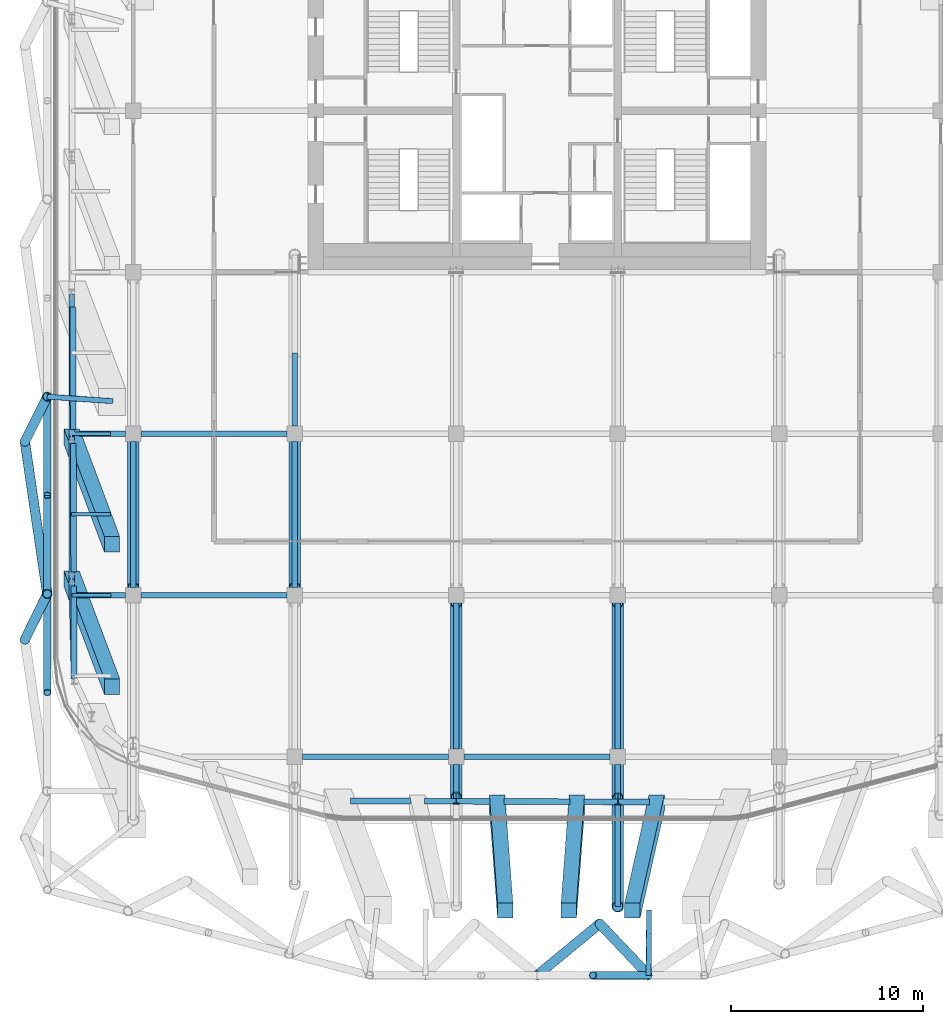
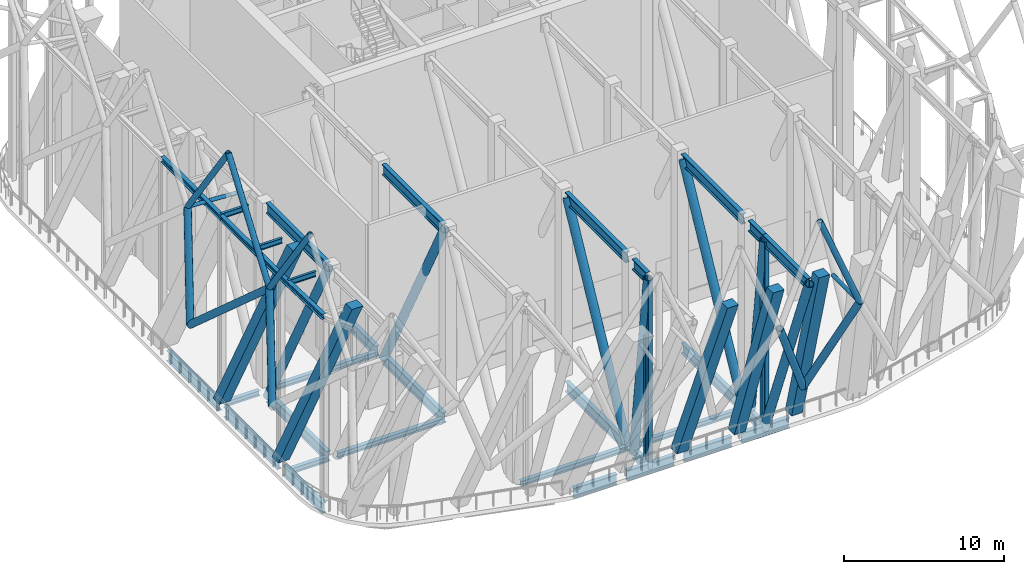
# One storey, part 3 of 20: 40 beams, 18 members.
"""IFC4 building model written with IfcOpenShell, lengths in metres."""

import ifcopenshell
import ifcopenshell.guid

model = None  # the IFC model being written
_history = None  # IfcOwnerHistory: only IFC2X3 demands one
_inside = {}  # id of a spatial element -> (the spatial element, [elements in it])
_under = {}  # id of a project, library or spatial element -> (it, [spatial elements below it])
_declared = {}  # id of a project -> (the project, [libraries it declares])
_typed = {}  # id of a type object -> (the type object, [elements of that type])
_made_of = {}  # id of a material, layer set ... -> (it, [elements and type objects made of it])


def new_model(schema):
    """Start an empty IFC model of exactly this schema.

    Asked for "IFC4X3", IfcOpenShell would pick the latest addendum, in which some entities
    have other attributes; the version numbers below select the first issue.
    IFC2X3 requires an IfcOwnerHistory on every rooted entity: one is made here for all.
    """
    global model, _history
    if schema == "IFC4X3":
        model = ifcopenshell.file(schema_version=(4, 3, 0, 0))
    else:
        model = ifcopenshell.file(schema=schema)
    _inside.clear()
    _under.clear()
    _declared.clear()
    _typed.clear()
    _made_of.clear()
    _history = None
    if model.schema == "IFC2X3":
        org = make("IfcOrganization", Name="unknown")
        user = make(
            "IfcPersonAndOrganization",
            ThePerson=make("IfcPerson", FamilyName="unknown"),
            TheOrganization=org,
        )
        app = make(
            "IfcApplication",
            ApplicationDeveloper=org,
            Version="unknown",
            ApplicationFullName="unknown",
            ApplicationIdentifier="unknown",
        )
        _history = make(
            "IfcOwnerHistory",
            OwningUser=user,
            OwningApplication=app,
            ChangeAction="ADDED",
            CreationDate=0,
        )
    return model


def make(cls, **values):
    """One entity of the class cls with the attributes given. An attribute that is None is left unset."""
    return model.create_entity(
        cls, **{name: value for name, value in values.items() if value is not None}
    )


def rooted(cls, **values):
    """An entity with a GlobalId (a new one), such as an element, a storey or a relation."""
    return make(cls, GlobalId=ifcopenshell.guid.new(), OwnerHistory=_history, **values)


def si_unit(unit_type, name, prefix=None):
    """IfcSIUnit, for example si_unit("LENGTHUNIT", "METRE", prefix="MILLI")."""
    return make("IfcSIUnit", UnitType=unit_type, Prefix=prefix, Name=name)


def assignment(units):
    """IfcUnitAssignment: the units of a project."""
    return None if units is None else make("IfcUnitAssignment", Units=units)


def point(xyz):
    """IfcCartesianPoint."""
    return None if xyz is None else make("IfcCartesianPoint", Coordinates=xyz)


def direction(xyz):
    """IfcDirection."""
    return None if xyz is None else make("IfcDirection", DirectionRatios=xyz)


def frame(location, z_axis=None, x_axis=None):
    """IfcAxis2Placement3D, a coordinate frame: its origin and axes. An axis left out is left unset."""
    return make(
        "IfcAxis2Placement3D",
        Location=point(location),
        Axis=direction(z_axis),
        RefDirection=direction(x_axis),
    )


def frame_2d(location, x_axis=None):
    """IfcAxis2Placement2D, a coordinate frame in the plane: its origin and x axis."""
    return make(
        "IfcAxis2Placement2D", Location=point(location), RefDirection=direction(x_axis)
    )


def origin():
    """The frame at (0, 0, 0) with its axes left unset."""
    return frame((0.0, 0.0, 0.0))


def origin_2d():
    """The frame at (0, 0) in the plane with its x axis left unset."""
    return frame_2d((0.0, 0.0))


def place(relative_to, where):
    """IfcLocalPlacement: puts the frame where relative to a parent placement (None: the world)."""
    return make(
        "IfcLocalPlacement", PlacementRelTo=relative_to, RelativePlacement=where
    )


def context(
    kind, dimensions, precision=None, world=None, true_north=None, identifier=None
):
    """IfcGeometricRepresentationContext, for example the 3D "Model" context."""
    return make(
        "IfcGeometricRepresentationContext",
        ContextIdentifier=identifier,
        ContextType=kind,
        CoordinateSpaceDimension=dimensions,
        Precision=precision,
        WorldCoordinateSystem=world,
        TrueNorth=true_north,
    )


def subcontext(parent, identifier, kind, view, scale=None):
    """IfcGeometricRepresentationSubContext, for example "Body" below "Model"."""
    return make(
        "IfcGeometricRepresentationSubContext",
        ContextIdentifier=identifier,
        ContextType=kind,
        ParentContext=parent,
        TargetScale=scale,
        TargetView=view,
    )


def project(units=None, contexts=None):
    """IfcProject with its units and contexts."""
    return rooted(
        "IfcProject",
        Name="project",
        RepresentationContexts=contexts,
        UnitsInContext=assignment(units),
    )


def spatial(cls, under=None, at=None, **own):
    """A site, building, storey or space (cls), placed at a placement, below another one or the project."""
    s = rooted(cls, ObjectPlacement=at, **own)
    if under is not None:
        _under.setdefault(under.id(), (under, []))[1].append(s)
    return s


def profile(cls, at=None, kind="AREA", **sizes):
    """A parametric profile (cls). Its sizes go by their IFC names, for example OverallWidth=200.0."""
    return make(cls, ProfileType=kind, Position=at, **sizes)


def rectangle(**sizes):
    """IfcRectangleProfileDef."""
    return profile("IfcRectangleProfileDef", **sizes)


def hollow_circle(**sizes):
    """IfcCircleHollowProfileDef."""
    return profile("IfcCircleHollowProfileDef", **sizes)


def i_section(**sizes):
    """IfcIShapeProfileDef."""
    return profile("IfcIShapeProfileDef", **sizes)


def extrude(swept, where, along, depth):
    """IfcExtrudedAreaSolid: the profile swept, set in the frame where, extruded along a direction by depth."""
    return make(
        "IfcExtrudedAreaSolid",
        SweptArea=swept,
        Position=where,
        ExtrudedDirection=direction(along),
        Depth=depth,
    )


def shape(context_of_items, identifier, shape_type, items):
    """IfcShapeRepresentation: the items that make up one representation, for example the "Body"."""
    return make(
        "IfcShapeRepresentation",
        ContextOfItems=context_of_items,
        RepresentationIdentifier=identifier,
        RepresentationType=shape_type,
        Items=items,
    )


def material(Name=None, Category=None):
    """IfcMaterial."""
    return make("IfcMaterial", Name=Name, Category=Category)


def material_profile(
    of_material, cross_section, Name=None, Category=None, Priority=None
):
    """IfcMaterialProfile: a cross section and its material."""
    return make(
        "IfcMaterialProfile",
        Name=Name,
        Material=of_material,
        Profile=cross_section,
        Priority=Priority,
        Category=Category,
    )


def profile_set(profiles, Name=None, composite=None):
    """IfcMaterialProfileSet."""
    return make(
        "IfcMaterialProfileSet",
        Name=Name,
        MaterialProfiles=profiles,
        CompositeProfile=composite,
    )


def made_of(thing, what):
    """Note that an element or type object is made of a material, layer set ...; save() writes the relation."""
    if what is not None:
        _made_of.setdefault(what.id(), (what, []))[1].append(thing)
    return thing


def type_object(cls, material=None, **own):
    """A type object (cls), such as IfcWallType, which elements share."""
    return made_of(rooted(cls, **own), material)


def element(
    cls,
    number,
    at=None,
    inside=None,
    cuts=None,
    type_object=None,
    material=None,
    context=None,
    identifier="Body",
    shape_type=None,
    held_by="IfcProductDefinitionShape",
    body=None,
    shapes=None,
    **own,
):
    """One element of the class cls, such as IfcWall. Its Tag is "e" and its number.

    at: its placement. inside: the storey or other place that contains it. cuts: it is an
    opening in that element (IfcRelVoidsElement). A single representation is given by context,
    identifier, shape_type and body (its items); several are given by shapes. held_by: the class
    of the entity that holds the representations. save() writes the other relations.
    """
    e = rooted(cls, Tag="e%d" % number, ObjectPlacement=at, **own)
    if body is not None:
        shapes = [shape(context, identifier, shape_type, body)]
    if shapes is not None:
        e.Representation = make(held_by, Representations=shapes)
    if inside is not None:
        _inside.setdefault(inside.id(), (inside, []))[1].append(e)
    if cuts is not None:
        rooted(
            "IfcRelVoidsElement", RelatingBuildingElement=cuts, RelatedOpeningElement=e
        )
    if type_object is not None:
        _typed.setdefault(type_object.id(), (type_object, []))[1].append(e)
    return made_of(e, material)


def aggregate(whole, parts):
    """IfcRelAggregates: a whole, such as a stair, and the parts it consists of."""
    return rooted("IfcRelAggregates", RelatingObject=whole, RelatedObjects=parts)


def save(model, path):
    """Write the relations noted so far, then the file.

    IfcRelAggregates (storeys below a building ...), IfcRelContainedInSpatialStructure (elements
    in a storey), IfcRelDefinesByType, IfcRelAssociatesMaterial and IfcRelDeclares: one each for
    every whole, place, type object, material and project.
    """
    for whole, parts in _under.values():
        aggregate(whole, parts)
    for where, things in _inside.values():
        rooted(
            "IfcRelContainedInSpatialStructure",
            RelatedElements=things,
            RelatingStructure=where,
        )
    for kind, things in _typed.values():
        rooted("IfcRelDefinesByType", RelatedObjects=things, RelatingType=kind)
    for what, things in _made_of.values():
        rooted("IfcRelAssociatesMaterial", RelatedObjects=things, RelatingMaterial=what)
    for by, libraries in _declared.values():
        rooted("IfcRelDeclares", RelatingContext=by, RelatedDefinitions=libraries)
    model.write(path)


model = new_model("IFC4")

# Units and contexts
model_context = context("Model", 3, precision=1e-05, world=origin(), true_north=direction((0.0, 1.0)))
body_context = subcontext(model_context, "Body", "Model", "MODEL_VIEW")
ifc_project = project(units=[si_unit("LENGTHUNIT", "METRE"), si_unit("AREAUNIT", "SQUARE_METRE"), si_unit("VOLUMEUNIT", "CUBIC_METRE"), si_unit("PLANEANGLEUNIT", "RADIAN"), si_unit("MASSUNIT", "GRAM", prefix="KILO")], contexts=[model_context])

# Site, building, storey
site_placement = place(None, origin())
site = spatial("IfcSite", under=ifc_project, at=site_placement, CompositionType="ELEMENT")
building_placement = place(site_placement, origin())
building = spatial("IfcBuilding", under=site, at=building_placement, Name="Marenta Gate Hotel Tower", CompositionType="ELEMENT")
storey_placement = place(building_placement, frame((0.0, 0.0, 252.5)))
storey = spatial("IfcBuildingStorey", under=building, at=storey_placement, Name="L60", CompositionType="ELEMENT", Elevation=252.5)

# Members
ifc_material_1 = material(Name="Steel S355J2W", Category="steel")
ifc_material_profile_1 = material_profile(ifc_material_1, hollow_circle(Radius=0.25390625, WallThickness=0.0400390625, at=origin_2d()), Name="CHS 508x40")
ifc_profile_set_1 = profile_set([ifc_material_profile_1], Name="Steel S355J2W")
member_type_1 = type_object("IfcMemberType", Name="Diagrid diagonal T3 CHS 508x40", PredefinedType="BRACE", material=ifc_profile_set_1)
member_1_placement = place(storey_placement, frame((3.258056640625, -33.885009765625, 6.739990234375), z_axis=(0.314716585897, -0.331664719403, 0.889354813595), x_axis=(0.725397829228, 0.688329855049, 0.0)))
element("IfcMember", 1, at=member_1_placement, inside=storey, type_object=member_type_1, Name="L60-DG-16", PredefinedType="BRACE", context=body_context, shape_type="SweptSolid", body=[
    extrude(hollow_circle(Radius=0.25390625, WallThickness=0.0400390625, at=origin_2d()), origin(), (0.0, 0.0, 1.0), 8.095703125),
])
member_2_placement = place(storey_placement, frame((3.258056640625, -33.885009765625, 6.739990234375), z_axis=(-0.390350863706, -0.321699422933, 0.862632995247), x_axis=(0.635982874894, -0.771703170164, 0.0)))
element("IfcMember", 2, at=member_2_placement, inside=storey, type_object=member_type_1, Name="L60-DG-17", PredefinedType="BRACE", context=body_context, shape_type="SweptSolid", body=[
    extrude(hollow_circle(Radius=0.25390625, WallThickness=0.0400390625, at=origin_2d()), origin(), (0.0, 0.0, 1.0), 8.346435546875),
])
member_3_placement = place(storey_placement, frame((-26.635009765625, -19.1123046875, 6.739990234375), z_axis=(0.1518728343, 0.309856226896, 0.93857538901), x_axis=(-0.897940734273, 0.440116391121, 0.0)))
element("IfcMember", 3, at=member_3_placement, inside=storey, type_object=member_type_1, Name="L60-DG-27", PredefinedType="BRACE", context=body_context, shape_type="SweptSolid", body=[
    extrude(hollow_circle(Radius=0.25390625, WallThickness=0.0400390625, at=origin_2d()), origin(), (0.0, 0.0, 1.0), 7.671142578125),
])
member_4_placement = place(storey_placement, frame((-26.635009765625, -8.81298828125, 6.739990234375), z_axis=(0.108189605121, -0.735698383522, 0.668612666516), x_axis=(0.989359393524, 0.145492235004, 0.0)))
element("IfcMember", 4, at=member_4_placement, inside=storey, type_object=member_type_1, Name="L60-DG-28", PredefinedType="BRACE", context=body_context, shape_type="SweptSolid", body=[
    extrude(hollow_circle(Radius=0.25390625, WallThickness=0.0400390625, at=origin_2d()), origin(), (0.0, 0.0, 1.0), 10.7685546875),
])
member_5_placement = place(storey_placement, frame((-26.635009765625, -8.81298828125, 6.739990234375), z_axis=(0.152119932005, 0.305068681746, 0.940102454898), x_axis=(-0.894912926352, 0.446240802984, 0.0)))
element("IfcMember", 5, at=member_5_placement, inside=storey, type_object=member_type_1, Name="L60-DG-29", PredefinedType="BRACE", context=body_context, shape_type="SweptSolid", body=[
    extrude(hollow_circle(Radius=0.25390625, WallThickness=0.0400390625, at=origin_2d()), origin(), (0.0, 0.0, 1.0), 7.65869140625),
])
ifc_material_2 = material(Name="Steel S355J2W", Category="steel")
ifc_material_profile_2 = material_profile(ifc_material_2, hollow_circle(Radius=0.203125, WallThickness=0.02490234375, at=origin_2d()), Name="CHS 406.4x25")
ifc_profile_set_2 = profile_set([ifc_material_profile_2], Name="Steel S355J2W")
member_type_2 = type_object("IfcMemberType", Name="Diagrid diagonal Z4 CHS 406.4x25", PredefinedType="BRACE", material=ifc_profile_set_2)
member_6_placement = place(storey_placement, frame((5.805908203125, -36.570068359375, 13.93994140625), z_axis=(-0.373926886532, 0.0, 0.927458184248), x_axis=(0.0, -1.0, 0.0)))
element("IfcMember", 6, at=member_6_placement, inside=storey, type_object=member_type_2, Name="L60-DG-50", PredefinedType="BRACE", context=body_context, shape_type="SweptSolid", body=[
    extrude(hollow_circle(Radius=0.203125, WallThickness=0.02490234375, at=origin_2d()), origin(), (0.0, 0.0, 1.0), 7.76318359375),
])
member_7_placement = place(storey_placement, frame((-25.469970703125, -16.7353515625, 13.93994140625), z_axis=(0.0, -0.580213650922, 0.81446431431), x_axis=(1.0, 0.0, 0.0)))
element("IfcMember", 7, at=member_7_placement, inside=storey, type_object=member_type_2, Name="L60-DG-61", PredefinedType="BRACE", context=body_context, shape_type="SweptSolid", body=[
    extrude(hollow_circle(Radius=0.203125, WallThickness=0.02490234375, at=origin_2d()), origin(), (0.0, 0.0, 1.0), 8.840087890625),
])
for number, where, z_axis, x_axis, name in (
    (8, (-25.469970703125, -16.7353515625, 13.93994140625), (0.0, 0.580231970533, 0.81445126335), (-1.0, 0.0, 0.0), "L60-DG-62"),
    (9, (-25.469970703125, -6.4765625, 13.93994140625), (0.0, -0.580231970533, 0.81445126335), (1.0, 0.0, 0.0), "L60-DG-63"),
):
    element("IfcMember", number, at=place(storey_placement, frame(where, z_axis=z_axis, x_axis=x_axis)), inside=storey, type_object=member_type_2, Name=name, PredefinedType="BRACE", context=body_context, shape_type="SweptSolid", body=[
        extrude(hollow_circle(Radius=0.203125, WallThickness=0.02490234375, at=origin_2d()), origin(), (0.0, 0.0, 1.0), 8.84033203125),
    ])

# Beams
ifc_material_3 = material(Name="Steel S355", Category="steel")
ifc_material_profile_3 = material_profile(ifc_material_3, i_section(OverallWidth=0.302978515625, OverallDepth=0.81396484375, WebThickness=0.030029296875, FlangeThickness=0.052001953125, FilletRadius=0.030029296875, at=origin_2d()), Name="HEM 800")
ifc_profile_set_3 = profile_set([ifc_material_profile_3], Name="Steel S355")
beam_type_1 = type_object("IfcBeamType", Name="Edge beam HEM 800", PredefinedType="SPANDREL", material=ifc_profile_set_3)
beam_1_placement = place(storey_placement, frame((-24.0751953125, -21.167236328125, -0.70703125), z_axis=(-0.003318732666, 0.999994492992, 0.0), x_axis=(-0.999994492992, -0.003318732666, 0.0)))
element("IfcBeam", 10, at=beam_1_placement, inside=storey, type_object=beam_type_1, Name="L60-EB-5", PredefinedType="SPANDREL", context=body_context, shape_type="SweptSolid", body=[
    extrude(i_section(OverallWidth=0.302978515625, OverallDepth=0.81396484375, WebThickness=0.030029296875, FlangeThickness=0.052001953125, FilletRadius=0.030029296875, at=origin_2d()), origin(), (0.0, 0.0, 1.0), 4.855224609375),
])
beam_2_placement = place(storey_placement, frame((-24.09375, -15.591796875, -0.70703125), z_axis=(-0.00332539729, 0.999994470851, 0.0), x_axis=(-0.999994470851, -0.00332539729, 0.0)))
element("IfcBeam", 11, at=beam_2_placement, inside=storey, type_object=beam_type_1, Name="L60-EB-6", PredefinedType="SPANDREL", context=body_context, shape_type="SweptSolid", body=[
    extrude(i_section(OverallWidth=0.302978515625, OverallDepth=0.81396484375, WebThickness=0.030029296875, FlangeThickness=0.052001953125, FilletRadius=0.030029296875, at=origin_2d()), origin(), (0.0, 0.0, 1.0), 6.680908203125),
])
beam_3_placement = place(storey_placement, frame((-24.118408203125, -8.19091796875, -0.70703125), z_axis=(-0.003328723523, 0.999994459785, 0.0), x_axis=(-0.999994459785, -0.003328723523, 0.0)))
element("IfcBeam", 12, at=beam_3_placement, inside=storey, type_object=beam_type_1, Name="L60-EB-7", PredefinedType="SPANDREL", context=body_context, shape_type="SweptSolid", body=[
    extrude(i_section(OverallWidth=0.302978515625, OverallDepth=0.81396484375, WebThickness=0.030029296875, FlangeThickness=0.052001953125, FilletRadius=0.030029296875, at=origin_2d()), origin(), (0.0, 0.0, 1.0), 6.380859375),
])
for number, where, z_axis, x_axis, name in (
    (13, (5.860107421875, -27.555419921875, -0.70703125), (-0.999992599416, 0.003847221457, 0.0), (-0.003847221457, -0.999992599416, 0.0), "L60-EB-33"),
    (14, (1.71337890625, -27.539306640625, -0.70703125), (-0.999992599416, 0.003847221457, 0.0), (-0.003847221457, -0.999992599416, 0.0), "L60-EB-34"),
    (15, (-2.433349609375, -27.5234375, -0.70703125), (-0.999992599416, 0.003847221457, 0.0), (-0.003847221457, -0.999992599416, 0.0), "L60-EB-35"),
):
    element("IfcBeam", number, at=place(storey_placement, frame(where, z_axis=z_axis, x_axis=x_axis)), inside=storey, type_object=beam_type_1, Name=name, PredefinedType="SPANDREL", context=body_context, shape_type="SweptSolid", body=[
        extrude(i_section(OverallWidth=0.302978515625, OverallDepth=0.81396484375, WebThickness=0.030029296875, FlangeThickness=0.052001953125, FilletRadius=0.030029296875, at=origin_2d()), origin(), (0.0, 0.0, 1.0), 3.4267578125),
    ])
beam_4_placement = place(storey_placement, frame((-6.580078125, -27.507568359375, -0.70703125), z_axis=(-0.99999237665, 0.00390469495, 0.0), x_axis=(-0.00390469495, -0.99999237665, 0.0)))
element("IfcBeam", 16, at=beam_4_placement, inside=storey, type_object=beam_type_1, Name="L60-EB-36", PredefinedType="SPANDREL", context=body_context, shape_type="SweptSolid", body=[
    extrude(i_section(OverallWidth=0.302978515625, OverallDepth=0.81396484375, WebThickness=0.030029296875, FlangeThickness=0.052001953125, FilletRadius=0.030029296875, at=origin_2d()), origin(), (0.0, 0.0, 1.0), 3.126220703125),
])

# Members
ifc_material_4 = material(Name="Concrete C60", Category="concrete")
ifc_material_profile_4 = material_profile(ifc_material_4, rectangle(XDim=0.800048828125, YDim=0.800048828125, at=origin_2d()), Name="800 x 800")
ifc_profile_set_4 = profile_set([ifc_material_profile_4], Name="Concrete C60")
member_type_3 = type_object("IfcMemberType", Name="Edge column raked 800 x 800 C60", PredefinedType="STRUT", material=ifc_profile_set_4)
for number, where, z_axis, x_axis, name in (
    (17, (-24.199951171875, -15.951904296875, 0.0), (0.0, 0.0, 1.0), (1.0, 0.0, 0.0), "L60-EC-SW-W-1"),
    (18, (-24.199951171875, -8.55078125, 0.0), (0.0, 0.0, 1.0), (1.0, 0.0, 0.0), "L60-EC-SW-W-2"),
):
    element("IfcMember", number, at=place(storey_placement, frame(where, z_axis=z_axis, x_axis=x_axis)), inside=storey, type_object=member_type_3, Name=name, PredefinedType="STRUT", context=body_context, shape_type="SweptSolid", body=[
        extrude(rectangle(XDim=0.800048828125, YDim=0.800048828125, at=origin_2d()), origin(), (0.134670294295, -0.359152099819, 0.923511603084), 15.592529296875),
    ])
member_8_placement = place(storey_placement, frame((6.22021484375, -27.60009765625, 0.0), z_axis=(0.0, 0.0, 1.0), x_axis=(1.0, 0.0, 0.0)))
element("IfcMember", 19, at=member_8_placement, inside=storey, type_object=member_type_3, Name="L60-EC-SKE-SKW-1", PredefinedType="STRUT", context=body_context, shape_type="SweptSolid", body=[
    extrude(rectangle(XDim=0.800048828125, YDim=0.800048828125, at=origin_2d()), origin(), (-0.081281958561, -0.361240899731, 0.928923169898), 15.501708984375),
])
member_9_placement = place(storey_placement, frame((2.073486328125, -27.60009765625, 0.0), z_axis=(0.0, 0.0, 1.0), x_axis=(1.0, 0.0, 0.0)))
element("IfcMember", 20, at=member_9_placement, inside=storey, type_object=member_type_3, Name="L60-EC-SKE-SKW-2", PredefinedType="STRUT", context=body_context, shape_type="SweptSolid", body=[
    extrude(rectangle(XDim=0.800048828125, YDim=0.800048828125, at=origin_2d()), origin(), (-0.027184418073, -0.36230621577, 0.931662607078), 15.4560546875),
])
member_10_placement = place(storey_placement, frame((-2.073486328125, -27.60009765625, 0.0), z_axis=(0.0, 0.0, 1.0), x_axis=(1.0, 0.0, 0.0)))
element("IfcMember", 21, at=member_10_placement, inside=storey, type_object=member_type_3, Name="L60-EC-SKE-SKW-3", PredefinedType="STRUT", context=body_context, shape_type="SweptSolid", body=[
    extrude(rectangle(XDim=0.800048828125, YDim=0.800048828125, at=origin_2d()), origin(), (0.027184418073, -0.36230621577, 0.931662607078), 15.4560546875),
])
ifc_material_5 = material(Name="Steel S355J2W", Category="steel")
ifc_material_profile_5 = material_profile(ifc_material_5, hollow_circle(Radius=0.136474609375, WallThickness=0.012451171875, at=origin_2d()), Name="CHS 273x12.5")
ifc_profile_set_5 = profile_set([ifc_material_profile_5], Name="Steel S355J2W")
member_type_4 = type_object("IfcMemberType", Name="Floor tie CHS 273x12.5", PredefinedType="STRUT", material=ifc_profile_set_5)
member_11_placement = place(storey_placement, frame((5.805908203125, -36.570068359375, 13.93994140625), z_axis=(0.004819394469, 0.999988386651, 0.0), x_axis=(-0.999988386651, 0.004819394469, 0.0)))
element("IfcMember", 22, at=member_11_placement, inside=storey, type_object=member_type_4, Name="L60-DR-20", PredefinedType="STRUT", context=body_context, shape_type="SweptSolid", body=[
    extrude(hollow_circle(Radius=0.136474609375, WallThickness=0.012451171875, at=origin_2d()), origin(), (0.0, 0.0, 1.0), 3.39404296875),
])
member_12_placement = place(storey_placement, frame((-25.469970703125, -6.4765625, 13.93994140625), z_axis=(0.997694247922, -0.067868900556, 0.0), x_axis=(0.067868900556, 0.997694247922, 0.0)))
element("IfcMember", 23, at=member_12_placement, inside=storey, type_object=member_type_4, Name="L60-DR-26", PredefinedType="STRUT", context=body_context, shape_type="SweptSolid", body=[
    extrude(hollow_circle(Radius=0.136474609375, WallThickness=0.012451171875, at=origin_2d()), origin(), (0.0, 0.0, 1.0), 3.4208984375),
])

# Beams
ifc_material_6 = material(Name="Steel S355", Category="steel")
ifc_material_profile_6 = material_profile(ifc_material_6, i_section(OverallWidth=0.300048828125, OverallDepth=0.39990234375, WebThickness=0.013427734375, FlangeThickness=0.02392578125, FilletRadius=0.027099609375, at=origin_2d()), Name="HEB 400")
ifc_profile_set_6 = profile_set([ifc_material_profile_6], Name="Steel S355")
beam_type_2 = type_object("IfcBeamType", Name="Girder HEB 400", PredefinedType="BEAM", material=ifc_profile_set_6)
beam_5_placement = place(storey_placement, frame((-12.199951171875, -25.199951171875, -0.5), z_axis=(1.0, 0.0, 0.0), x_axis=(0.0, 1.0, 0.0)))
element("IfcBeam", 24, at=beam_5_placement, inside=storey, type_object=beam_type_2, Name="L60-GD-2", PredefinedType="BEAM", context=body_context, shape_type="SweptSolid", body=[
    extrude(i_section(OverallWidth=0.300048828125, OverallDepth=0.39990234375, WebThickness=0.013427734375, FlangeThickness=0.02392578125, FilletRadius=0.027099609375, at=origin_2d()), origin(), (0.0, 0.0, 1.0), 7.599853515625),
])
beam_6_placement = place(storey_placement, frame((-3.800048828125, -25.199951171875, -0.5), z_axis=(1.0, 0.0, 0.0), x_axis=(0.0, 1.0, 0.0)))
element("IfcBeam", 25, at=beam_6_placement, inside=storey, type_object=beam_type_2, Name="L60-GD-3", PredefinedType="BEAM", context=body_context, shape_type="SweptSolid", body=[
    extrude(i_section(OverallWidth=0.300048828125, OverallDepth=0.39990234375, WebThickness=0.013427734375, FlangeThickness=0.02392578125, FilletRadius=0.027099609375, at=origin_2d()), origin(), (0.0, 0.0, 1.0), 7.60009765625),
])
beam_7_placement = place(storey_placement, frame((-23.938232421875, -16.800048828125, -0.5), z_axis=(1.0, 0.0, 0.0), x_axis=(0.0, 1.0, 0.0)))
element("IfcBeam", 26, at=beam_7_placement, inside=storey, type_object=beam_type_2, Name="L60-GD-6", PredefinedType="BEAM", context=body_context, shape_type="SweptSolid", body=[
    extrude(i_section(OverallWidth=0.300048828125, OverallDepth=0.39990234375, WebThickness=0.013427734375, FlangeThickness=0.02392578125, FilletRadius=0.027099609375, at=origin_2d()), origin(), (0.0, 0.0, 1.0), 2.538330078125),
])
beam_8_placement = place(storey_placement, frame((-20.60009765625, -16.800048828125, -0.5), z_axis=(1.0, 0.0, 0.0), x_axis=(0.0, 1.0, 0.0)))
element("IfcBeam", 27, at=beam_8_placement, inside=storey, type_object=beam_type_2, Name="L60-GD-7", PredefinedType="BEAM", context=body_context, shape_type="SweptSolid", body=[
    extrude(i_section(OverallWidth=0.300048828125, OverallDepth=0.39990234375, WebThickness=0.013427734375, FlangeThickness=0.02392578125, FilletRadius=0.027099609375, at=origin_2d()), origin(), (0.0, 0.0, 1.0), 7.60009765625),
])
beam_9_placement = place(storey_placement, frame((-23.800048828125, -8.39990234375, -0.5), z_axis=(1.0, 0.0, 0.0), x_axis=(0.0, 1.0, 0.0)))
element("IfcBeam", 28, at=beam_9_placement, inside=storey, type_object=beam_type_2, Name="L60-GD-13", PredefinedType="BEAM", context=body_context, shape_type="SweptSolid", body=[
    extrude(i_section(OverallWidth=0.300048828125, OverallDepth=0.39990234375, WebThickness=0.013427734375, FlangeThickness=0.02392578125, FilletRadius=0.027099609375, at=origin_2d()), origin(), (0.0, 0.0, 1.0), 2.400146484375),
])
beam_10_placement = place(storey_placement, frame((-20.60009765625, -8.39990234375, -0.5), z_axis=(1.0, 0.0, 0.0), x_axis=(0.0, 1.0, 0.0)))
element("IfcBeam", 29, at=beam_10_placement, inside=storey, type_object=beam_type_2, Name="L60-GD-14", PredefinedType="BEAM", context=body_context, shape_type="SweptSolid", body=[
    extrude(i_section(OverallWidth=0.300048828125, OverallDepth=0.39990234375, WebThickness=0.013427734375, FlangeThickness=0.02392578125, FilletRadius=0.027099609375, at=origin_2d()), origin(), (0.0, 0.0, 1.0), 7.60009765625),
])
ifc_material_7 = material(Name="Steel S355", Category="steel")
ifc_material_profile_7 = material_profile(ifc_material_7, i_section(OverallWidth=0.302978515625, OverallDepth=0.81396484375, WebThickness=0.030029296875, FlangeThickness=0.052001953125, FilletRadius=0.030029296875, at=origin_2d()), Name="HEM 800")
ifc_profile_set_7 = profile_set([ifc_material_profile_7], Name="Steel S355")
beam_type_3 = type_object("IfcBeamType", Name="Outrigger truss chord HEM 800", PredefinedType="BEAM", material=ifc_profile_set_7)
for number, where, z_axis, x_axis, name in (
    (30, (-21.0, -8.800048828125, -0.70703125), (0.0, -1.0, 0.0), (1.0, 0.0, 0.0), "TC-HEM800 Outrigger truss T3-4 chord"),
    (31, (-21.0, -8.800048828125, 13.73291015625), (0.0, -1.0, 0.0), (1.0, 0.0, 0.0), "TC-HEM800 Outrigger truss T3-4 chord"),
):
    element("IfcBeam", number, at=place(storey_placement, frame(where, z_axis=z_axis, x_axis=x_axis)), inside=storey, type_object=beam_type_3, Name=name, PredefinedType="BEAM", context=body_context, shape_type="SweptSolid", body=[
        extrude(i_section(OverallWidth=0.302978515625, OverallDepth=0.81396484375, WebThickness=0.030029296875, FlangeThickness=0.052001953125, FilletRadius=0.030029296875, at=origin_2d()), origin(), (0.0, 0.0, 1.0), 7.599853515625),
    ])
beam_11_placement = place(storey_placement, frame((-12.60009765625, -4.199951171875, -0.70703125), z_axis=(0.0, -1.0, 0.0), x_axis=(1.0, 0.0, 0.0)))
element("IfcBeam", 32, at=beam_11_placement, inside=storey, type_object=beam_type_3, Name="TC-HEM800 Outrigger truss T3-5 chord", PredefinedType="BEAM", context=body_context, shape_type="SweptSolid", body=[
    extrude(i_section(OverallWidth=0.302978515625, OverallDepth=0.81396484375, WebThickness=0.030029296875, FlangeThickness=0.052001953125, FilletRadius=0.030029296875, at=origin_2d()), origin(), (0.0, 0.0, 1.0), 3.800048828125),
])
for number, where, z_axis, x_axis, name in (
    (33, (-12.60009765625, -8.800048828125, -0.70703125), (0.0, -1.0, 0.0), (1.0, 0.0, 0.0), "TC-HEM800 Outrigger truss T3-5 chord"),
    (34, (-12.60009765625, -8.800048828125, 13.73291015625), (0.0, -1.0, 0.0), (1.0, 0.0, 0.0), "TC-HEM800 Outrigger truss T3-5 chord"),
):
    element("IfcBeam", number, at=place(storey_placement, frame(where, z_axis=z_axis, x_axis=x_axis)), inside=storey, type_object=beam_type_3, Name=name, PredefinedType="BEAM", context=body_context, shape_type="SweptSolid", body=[
        extrude(i_section(OverallWidth=0.302978515625, OverallDepth=0.81396484375, WebThickness=0.030029296875, FlangeThickness=0.052001953125, FilletRadius=0.030029296875, at=origin_2d()), origin(), (0.0, 0.0, 1.0), 7.599853515625),
    ])
beam_12_placement = place(storey_placement, frame((-4.199951171875, -17.199951171875, -0.70703125), z_axis=(0.0, -1.0, 0.0), x_axis=(1.0, 0.0, 0.0)))
element("IfcBeam", 35, at=beam_12_placement, inside=storey, type_object=beam_type_3, Name="TC-HEM800 Outrigger truss T3-6 chord", PredefinedType="BEAM", context=body_context, shape_type="SweptSolid", body=[
    extrude(i_section(OverallWidth=0.302978515625, OverallDepth=0.81396484375, WebThickness=0.030029296875, FlangeThickness=0.052001953125, FilletRadius=0.030029296875, at=origin_2d()), origin(), (0.0, 0.0, 1.0), 7.60009765625),
])
beam_13_placement = place(storey_placement, frame((-4.199951171875, -25.60009765625, -0.70703125), z_axis=(0.0, -1.0, 0.0), x_axis=(1.0, 0.0, 0.0)))
element("IfcBeam", 36, at=beam_13_placement, inside=storey, type_object=beam_type_3, Name="TC-HEM800 Outrigger truss T3-6 chord", PredefinedType="BEAM", context=body_context, shape_type="SweptSolid", body=[
    extrude(i_section(OverallWidth=0.302978515625, OverallDepth=0.81396484375, WebThickness=0.030029296875, FlangeThickness=0.052001953125, FilletRadius=0.030029296875, at=origin_2d()), origin(), (0.0, 0.0, 1.0), 1.76513671875),
])
beam_14_placement = place(storey_placement, frame((-4.199951171875, -17.199951171875, 13.73291015625), z_axis=(0.0, -1.0, 0.0), x_axis=(1.0, 0.0, 0.0)))
element("IfcBeam", 37, at=beam_14_placement, inside=storey, type_object=beam_type_3, Name="TC-HEM800 Outrigger truss T3-6 chord", PredefinedType="BEAM", context=body_context, shape_type="SweptSolid", body=[
    extrude(i_section(OverallWidth=0.302978515625, OverallDepth=0.81396484375, WebThickness=0.030029296875, FlangeThickness=0.052001953125, FilletRadius=0.030029296875, at=origin_2d()), origin(), (0.0, 0.0, 1.0), 7.60009765625),
])
beam_15_placement = place(storey_placement, frame((-4.199951171875, -25.60009765625, 13.73291015625), z_axis=(0.0, -1.0, 0.0), x_axis=(1.0, 0.0, 0.0)))
element("IfcBeam", 38, at=beam_15_placement, inside=storey, type_object=beam_type_3, Name="TC-HEM800 Outrigger truss T3-6 chord", PredefinedType="BEAM", context=body_context, shape_type="SweptSolid", body=[
    extrude(i_section(OverallWidth=0.302978515625, OverallDepth=0.81396484375, WebThickness=0.030029296875, FlangeThickness=0.052001953125, FilletRadius=0.030029296875, at=origin_2d()), origin(), (0.0, 0.0, 1.0), 1.76513671875),
])
beam_16_placement = place(storey_placement, frame((4.199951171875, -17.199951171875, -0.70703125), z_axis=(0.0, -1.0, 0.0), x_axis=(1.0, 0.0, 0.0)))
element("IfcBeam", 39, at=beam_16_placement, inside=storey, type_object=beam_type_3, Name="TC-HEM800 Outrigger truss T3-7 chord", PredefinedType="BEAM", context=body_context, shape_type="SweptSolid", body=[
    extrude(i_section(OverallWidth=0.302978515625, OverallDepth=0.81396484375, WebThickness=0.030029296875, FlangeThickness=0.052001953125, FilletRadius=0.030029296875, at=origin_2d()), origin(), (0.0, 0.0, 1.0), 7.60009765625),
])
beam_17_placement = place(storey_placement, frame((4.199951171875, -25.60009765625, -0.70703125), z_axis=(0.0, -1.0, 0.0), x_axis=(1.0, 0.0, 0.0)))
element("IfcBeam", 40, at=beam_17_placement, inside=storey, type_object=beam_type_3, Name="TC-HEM800 Outrigger truss T3-7 chord", PredefinedType="BEAM", context=body_context, shape_type="SweptSolid", body=[
    extrude(i_section(OverallWidth=0.302978515625, OverallDepth=0.81396484375, WebThickness=0.030029296875, FlangeThickness=0.052001953125, FilletRadius=0.030029296875, at=origin_2d()), origin(), (0.0, 0.0, 1.0), 1.79736328125),
])
beam_18_placement = place(storey_placement, frame((4.199951171875, -17.199951171875, 13.73291015625), z_axis=(0.0, -1.0, 0.0), x_axis=(1.0, 0.0, 0.0)))
element("IfcBeam", 41, at=beam_18_placement, inside=storey, type_object=beam_type_3, Name="TC-HEM800 Outrigger truss T3-7 chord", PredefinedType="BEAM", context=body_context, shape_type="SweptSolid", body=[
    extrude(i_section(OverallWidth=0.302978515625, OverallDepth=0.81396484375, WebThickness=0.030029296875, FlangeThickness=0.052001953125, FilletRadius=0.030029296875, at=origin_2d()), origin(), (0.0, 0.0, 1.0), 7.60009765625),
])
beam_19_placement = place(storey_placement, frame((4.199951171875, -25.60009765625, 13.73291015625), z_axis=(0.0, -1.0, 0.0), x_axis=(1.0, 0.0, 0.0)))
element("IfcBeam", 42, at=beam_19_placement, inside=storey, type_object=beam_type_3, Name="TC-HEM800 Outrigger truss T3-7 chord", PredefinedType="BEAM", context=body_context, shape_type="SweptSolid", body=[
    extrude(i_section(OverallWidth=0.302978515625, OverallDepth=0.81396484375, WebThickness=0.030029296875, FlangeThickness=0.052001953125, FilletRadius=0.030029296875, at=origin_2d()), origin(), (0.0, 0.0, 1.0), 1.79736328125),
])
beam_20_placement = place(storey_placement, frame((4.199951171875, -27.3974609375, 13.73291015625), z_axis=(0.0, -1.0, 0.0), x_axis=(1.0, 0.0, 0.0)))
element("IfcBeam", 43, at=beam_20_placement, inside=storey, type_object=beam_type_3, Name="TC-HEM800 Outrigger truss T3-7 chord", PredefinedType="BEAM", context=body_context, shape_type="SweptSolid", body=[
    extrude(i_section(OverallWidth=0.302978515625, OverallDepth=0.81396484375, WebThickness=0.030029296875, FlangeThickness=0.052001953125, FilletRadius=0.030029296875, at=origin_2d()), origin(), (0.0, 0.0, 1.0), 5.604248046875),
])
ifc_material_8 = material(Name="Steel S355", Category="steel")
ifc_material_profile_8 = material_profile(ifc_material_8, hollow_circle(Radius=0.304931640625, WallThickness=0.0400390625, at=origin_2d()), Name="CHS 610x40")
ifc_profile_set_8 = profile_set([ifc_material_profile_8], Name="Steel S355")
beam_type_4 = type_object("IfcBeamType", Name="Outrigger truss diagonal CHS 610x40", PredefinedType="BEAM", material=ifc_profile_set_8)
for number, where, z_axis, x_axis, name in (
    (44, (-21.0, -8.800048828125, -0.70703125), (0.0, -0.465740883061, 0.884921143292), (1.0, 0.0, 0.0), "Outrigger truss T3-4 diagonal"),
    (45, (-12.60009765625, -8.800048828125, -0.70703125), (0.0, -0.465740883061, 0.884921143292), (1.0, 0.0, 0.0), "Outrigger truss T3-5 diagonal"),
    (46, (-4.199951171875, -17.199951171875, 13.73291015625), (0.0, -0.465752599181, -0.884914976908), (1.0, 0.0, 0.0), "Outrigger truss T3-6 diagonal"),
):
    element("IfcBeam", number, at=place(storey_placement, frame(where, z_axis=z_axis, x_axis=x_axis)), inside=storey, type_object=beam_type_4, Name=name, PredefinedType="BEAM", context=body_context, shape_type="SweptSolid", body=[
        extrude(hollow_circle(Radius=0.304931640625, WallThickness=0.0400390625, at=origin_2d()), origin(), (0.0, 0.0, 1.0), 16.31787109375),
    ])
beam_21_placement = place(storey_placement, frame((-4.199951171875, -25.60009765625, -0.70703125), z_axis=(0.0, -0.121336700236, 0.992611406934), x_axis=(1.0, 0.0, 0.0)))
element("IfcBeam", 47, at=beam_21_placement, inside=storey, type_object=beam_type_4, Name="Outrigger truss T3-6 diagonal", PredefinedType="BEAM", context=body_context, shape_type="SweptSolid", body=[
    extrude(hollow_circle(Radius=0.304931640625, WallThickness=0.0400390625, at=origin_2d()), origin(), (0.0, 0.0, 1.0), 14.54736328125),
])
beam_22_placement = place(storey_placement, frame((4.199951171875, -17.199951171875, 13.73291015625), z_axis=(0.0, -0.465752599181, -0.884914976908), x_axis=(1.0, 0.0, 0.0)))
element("IfcBeam", 48, at=beam_22_placement, inside=storey, type_object=beam_type_4, Name="Outrigger truss T3-7 diagonal", PredefinedType="BEAM", context=body_context, shape_type="SweptSolid", body=[
    extrude(hollow_circle(Radius=0.304931640625, WallThickness=0.0400390625, at=origin_2d()), origin(), (0.0, 0.0, 1.0), 16.31787109375),
])
beam_23_placement = place(storey_placement, frame((4.199951171875, -25.60009765625, -0.70703125), z_axis=(0.0, -0.123518476495, 0.992342272588), x_axis=(1.0, 0.0, 0.0)))
element("IfcBeam", 49, at=beam_23_placement, inside=storey, type_object=beam_type_4, Name="Outrigger truss T3-7 diagonal", PredefinedType="BEAM", context=body_context, shape_type="SweptSolid", body=[
    extrude(hollow_circle(Radius=0.304931640625, WallThickness=0.0400390625, at=origin_2d()), origin(), (0.0, 0.0, 1.0), 14.55126953125),
])
beam_24_placement = place(storey_placement, frame((4.199951171875, -27.3974609375, -0.70703125), z_axis=(0.0, -0.361813337088, 0.932250561333), x_axis=(1.0, 0.0, 0.0)))
element("IfcBeam", 50, at=beam_24_placement, inside=storey, type_object=beam_type_4, Name="Outrigger truss T3-7 diagonal", PredefinedType="BEAM", context=body_context, shape_type="SweptSolid", body=[
    extrude(hollow_circle(Radius=0.304931640625, WallThickness=0.0400390625, at=origin_2d()), origin(), (0.0, 0.0, 1.0), 15.4892578125),
])

# Members
ifc_material_9 = material(Name="Steel S355", Category="steel")
ifc_material_profile_9 = material_profile(ifc_material_9, i_section(OverallWidth=0.304931640625, OverallDepth=0.6201171875, WebThickness=0.02490234375, FlangeThickness=0.0439453125, FilletRadius=0.027099609375, at=origin_2d()), Name="HEM 600")
ifc_profile_set_9 = profile_set([ifc_material_profile_9], Name="Steel S355")
member_type_5 = type_object("IfcMemberType", Name="Outrigger truss post HEM 600", PredefinedType="POST", material=ifc_profile_set_9)
for number, where, z_axis, x_axis, name in (
    (51, (-4.199951171875, -27.365234375, -0.70703125), (0.0, 0.0, 1.0), (1.0, 0.0, 0.0), "TR-HEM600 Outrigger truss T3-6 post"),
    (52, (4.199951171875, -27.3974609375, -0.70703125), (0.0, 0.0, 1.0), (1.0, 0.0, 0.0), "TR-HEM600 Outrigger truss T3-7 post"),
):
    element("IfcMember", number, at=place(storey_placement, frame(where, z_axis=z_axis, x_axis=x_axis)), inside=storey, type_object=member_type_5, Name=name, PredefinedType="POST", context=body_context, shape_type="SweptSolid", body=[
        extrude(i_section(OverallWidth=0.304931640625, OverallDepth=0.6201171875, WebThickness=0.02490234375, FlangeThickness=0.0439453125, FilletRadius=0.027099609375, at=origin_2d()), origin(), (0.0, 0.0, 1.0), 14.43994140625),
    ])

# Beams
ifc_material_10 = material(Name="Steel S355", Category="steel")
ifc_material_profile_10 = material_profile(ifc_material_10, i_section(OverallWidth=0.179931640625, OverallDepth=0.39990234375, WebThickness=0.008544921875, FlangeThickness=0.013427734375, FilletRadius=0.02099609375, at=origin_2d()), Name="IPE 400")
ifc_profile_set_10 = profile_set([ifc_material_profile_10], Name="Steel S355")
beam_type_5 = type_object("IfcBeamType", Name="Terrace beam IPE 400", PredefinedType="JOIST", material=ifc_profile_set_10)
beam_25_placement = place(storey_placement, frame((-24.1796875, -16.800048828125, 13.93994140625), z_axis=(1.0, 0.0, 0.0), x_axis=(0.0, 1.0, 0.0)))
element("IfcBeam", 53, at=beam_25_placement, inside=storey, type_object=beam_type_5, Name="L60-TB-22", PredefinedType="JOIST", context=body_context, shape_type="SweptSolid", body=[
    extrude(i_section(OverallWidth=0.179931640625, OverallDepth=0.39990234375, WebThickness=0.008544921875, FlangeThickness=0.013427734375, FilletRadius=0.02099609375, at=origin_2d()), origin(), (0.0, 0.0, 1.0), 2.020263671875),
])
beam_26_placement = place(storey_placement, frame((-24.199951171875, -12.60009765625, 13.93994140625), z_axis=(1.0, 0.0, 0.0), x_axis=(0.0, 1.0, 0.0)))
element("IfcBeam", 54, at=beam_26_placement, inside=storey, type_object=beam_type_5, Name="L60-TB-23", PredefinedType="JOIST", context=body_context, shape_type="SweptSolid", body=[
    extrude(i_section(OverallWidth=0.179931640625, OverallDepth=0.39990234375, WebThickness=0.008544921875, FlangeThickness=0.013427734375, FilletRadius=0.02099609375, at=origin_2d()), origin(), (0.0, 0.0, 1.0), 2.026611328125),
])
beam_27_placement = place(storey_placement, frame((-24.199951171875, -8.39990234375, 13.93994140625), z_axis=(1.0, 0.0, 0.0), x_axis=(0.0, 1.0, 0.0)))
element("IfcBeam", 55, at=beam_27_placement, inside=storey, type_object=beam_type_5, Name="L60-TB-24", PredefinedType="JOIST", context=body_context, shape_type="SweptSolid", body=[
    extrude(i_section(OverallWidth=0.179931640625, OverallDepth=0.39990234375, WebThickness=0.008544921875, FlangeThickness=0.013427734375, FilletRadius=0.02099609375, at=origin_2d()), origin(), (0.0, 0.0, 1.0), 2.0126953125),
])
ifc_material_11 = material(Name="Steel S355", Category="steel")
ifc_material_profile_11 = material_profile(ifc_material_11, i_section(OverallWidth=0.300048828125, OverallDepth=0.39990234375, WebThickness=0.013427734375, FlangeThickness=0.02392578125, FilletRadius=0.027099609375, at=origin_2d()), Name="HEB 400")
ifc_profile_set_11 = profile_set([ifc_material_profile_11], Name="Steel S355")
beam_type_6 = type_object("IfcBeamType", Name="Terrace edge beam HEB 400", PredefinedType="SPANDREL", material=ifc_profile_set_11)
beam_28_placement = place(storey_placement, frame((-24.0751953125, -21.167236328125, 13.93994140625), z_axis=(-0.023914140165, 0.999714016057, 0.0), x_axis=(-0.999714016057, -0.023914140165, 0.0)))
element("IfcBeam", 56, at=beam_28_placement, inside=storey, type_object=beam_type_6, Name="L60-TE-2", PredefinedType="SPANDREL", context=body_context, shape_type="SweptSolid", body=[
    extrude(i_section(OverallWidth=0.300048828125, OverallDepth=0.39990234375, WebThickness=0.013427734375, FlangeThickness=0.02392578125, FilletRadius=0.027099609375, at=origin_2d()), origin(), (0.0, 0.0, 1.0), 5.216796875),
])
beam_29_placement = place(storey_placement, frame((-24.199951171875, -15.951904296875, 13.93994140625), z_axis=(0.0, 1.0, 0.0), x_axis=(-1.0, 0.0, 0.0)))
element("IfcBeam", 57, at=beam_29_placement, inside=storey, type_object=beam_type_6, Name="L60-TE-3", PredefinedType="SPANDREL", context=body_context, shape_type="SweptSolid", body=[
    extrude(i_section(OverallWidth=0.300048828125, OverallDepth=0.39990234375, WebThickness=0.013427734375, FlangeThickness=0.02392578125, FilletRadius=0.027099609375, at=origin_2d()), origin(), (0.0, 0.0, 1.0), 7.401123046875),
])
beam_30_placement = place(storey_placement, frame((-24.199951171875, -8.55078125, 13.93994140625), z_axis=(0.0, 1.0, 0.0), x_axis=(-1.0, 0.0, 0.0)))
element("IfcBeam", 58, at=beam_30_placement, inside=storey, type_object=beam_type_6, Name="L60-TE-4", PredefinedType="SPANDREL", context=body_context, shape_type="SweptSolid", body=[
    extrude(i_section(OverallWidth=0.300048828125, OverallDepth=0.39990234375, WebThickness=0.013427734375, FlangeThickness=0.02392578125, FilletRadius=0.027099609375, at=origin_2d()), origin(), (0.0, 0.0, 1.0), 7.40087890625),
])

save(model, "model.ifc")
